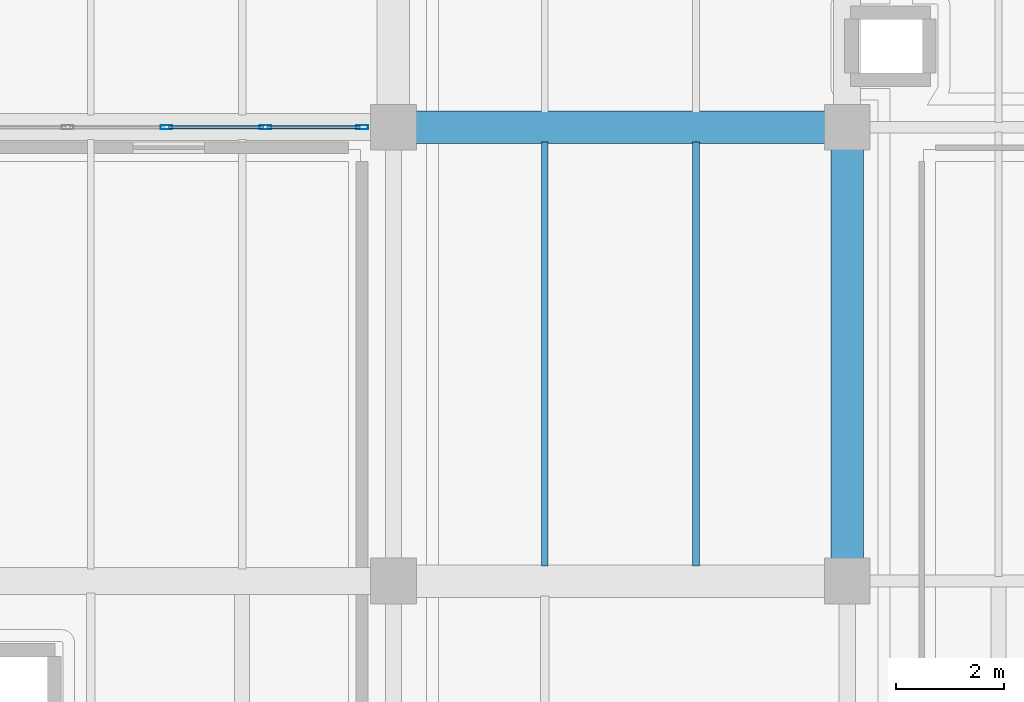
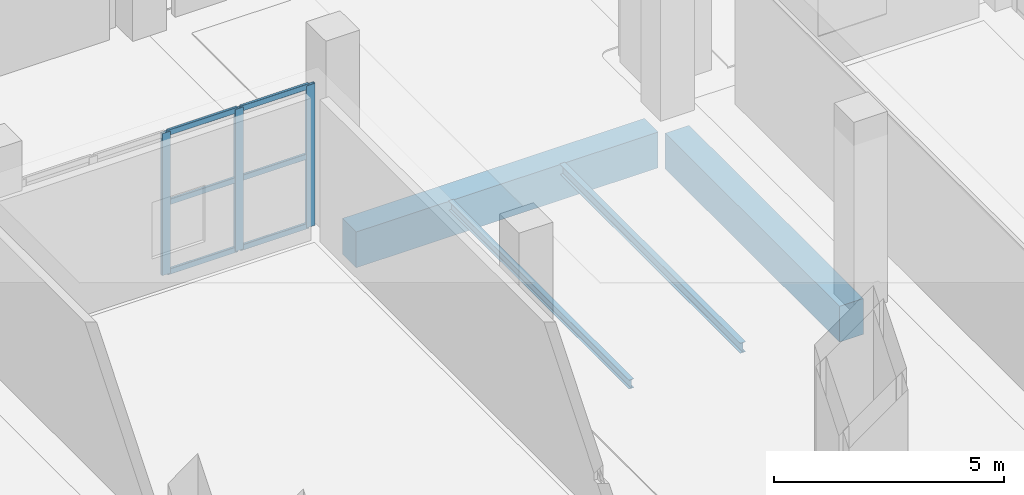
# One storey, part 26 of 66: 9 members, 4 beams, 1 element without a shape of its own.
"""IFC4 building model written with IfcOpenShell, lengths in metres."""

from ifc_helpers import new_model, si_unit, direction, frame, origin, origin_2d, place, context, subcontext, project, spatial, rectangle, hollow_rectangle, i_section, extrude, material, layer, layer_set, material_profile, profile_set, type_object, element, aggregate, save


model = new_model("IFC4")

# Units and contexts
model_context = context("Model", 3, precision=1e-05, world=origin(), true_north=direction((0.0, 1.0)))
body_context = subcontext(model_context, "Body", "Model", "MODEL_VIEW")
ifc_project = project(units=[si_unit("LENGTHUNIT", "METRE"), si_unit("AREAUNIT", "SQUARE_METRE"), si_unit("VOLUMEUNIT", "CUBIC_METRE"), si_unit("PLANEANGLEUNIT", "RADIAN"), si_unit("MASSUNIT", "GRAM", prefix="KILO")], contexts=[model_context])

# Site, building, storey
site_placement = place(None, origin())
site = spatial("IfcSite", under=ifc_project, at=site_placement, CompositionType="ELEMENT")
building_placement = place(site_placement, origin())
building = spatial("IfcBuilding", under=site, at=building_placement, Name="Zulmaris Art Gallery", CompositionType="ELEMENT")
storey_placement = place(building_placement, frame((0.0, 0.0, 5.39990234375)))
storey = spatial("IfcBuildingStorey", under=building, at=storey_placement, Name="L01", CompositionType="ELEMENT", Elevation=5.39990234375)

# Beams
ifc_material_1 = material(Name="Concrete C40/50", Category="concrete")
ifc_material_profile_1 = material_profile(ifc_material_1, rectangle(XDim=0.60009765625, YDim=0.949951171875, at=origin_2d()), Name="RC 600x950")
ifc_profile_set_1 = profile_set([ifc_material_profile_1], Name="Concrete C40/50")
beam_type_1 = type_object("IfcBeamType", Name="BEAM-BM22", PredefinedType="BEAM", material=ifc_profile_set_1)
beam_1_placement = place(storey_placement, frame((142.010009765625, 58.800048828125, -0.804931640625), z_axis=(1.0, 0.0, 0.0), x_axis=(0.0, 1.0, 0.0)))
element("IfcBeam", 1, at=beam_1_placement, inside=storey, type_object=beam_type_1, Name="L01 X-girder (141.6..150.0, y=58.8)", PredefinedType="BEAM", context=body_context, shape_type="SweptSolid", body=[
    extrude(rectangle(XDim=0.60009765625, YDim=0.949951171875, at=origin_2d()), origin(), (0.0, 0.0, 1.0), 7.580078125),
])
beam_2_placement = place(storey_placement, frame((150.0, 50.81005859375, -0.804931640625), z_axis=(0.0, 1.0, 0.0), x_axis=(-1.0, 0.0, 0.0)))
element("IfcBeam", 2, at=beam_2_placement, inside=storey, type_object=beam_type_1, Name="L01 Y-girder (x=150.0, 50.4..58.8)", PredefinedType="BEAM", context=body_context, shape_type="SweptSolid", body=[
    extrude(rectangle(XDim=0.60009765625, YDim=0.949951171875, at=origin_2d()), origin(), (0.0, 0.0, 1.0), 7.579833984375),
])
ifc_material_2 = material(Name="Steel S355J2", Category="steel")
ifc_material_profile_2 = material_profile(ifc_material_2, i_section(OverallWidth=0.1201171875, OverallDepth=0.239990234375, WebThickness=0.006103515625, FlangeThickness=0.009765625, FilletRadius=0.014892578125, at=origin_2d()), Name="IPE 240")
ifc_profile_set_2 = profile_set([ifc_material_profile_2], Name="Steel S355J2")
beam_type_2 = type_object("IfcBeamType", Name="BEAM-JS01", PredefinedType="JOIST", material=ifc_profile_set_2)
beam_3_placement = place(storey_placement, frame((144.39990234375, 50.675048828125, -0.449951171875), z_axis=(0.0, 1.0, 0.0), x_axis=(-1.0, 0.0, 0.0)))
element("IfcBeam", 3, at=beam_3_placement, inside=storey, type_object=beam_type_2, Name="L01 secondary joist at x=144.4", PredefinedType="JOIST", context=body_context, shape_type="SweptSolid", body=[
    extrude(i_section(OverallWidth=0.1201171875, OverallDepth=0.239990234375, WebThickness=0.006103515625, FlangeThickness=0.009765625, FilletRadius=0.014892578125, at=origin_2d()), origin(), (0.0, 0.0, 1.0), 7.849853515625),
])
ifc_material_profile_3 = material_profile(ifc_material_2, i_section(OverallWidth=0.135009765625, OverallDepth=0.27001953125, WebThickness=0.006591796875, FlangeThickness=0.01025390625, FilletRadius=0.014892578125, at=origin_2d()), Name="IPE 270")
ifc_profile_set_3 = profile_set([ifc_material_profile_3], Name="Steel S355J2")
beam_type_3 = type_object("IfcBeamType", Name="BEAM-JS02", PredefinedType="JOIST", material=ifc_profile_set_3)
beam_4_placement = place(storey_placement, frame((147.199951171875, 50.675048828125, -0.46484375), z_axis=(0.0, 1.0, 0.0), x_axis=(-1.0, 0.0, 0.0)))
element("IfcBeam", 4, at=beam_4_placement, inside=storey, type_object=beam_type_3, Name="L01 secondary joist at x=147.2", PredefinedType="JOIST", context=body_context, shape_type="SweptSolid", body=[
    extrude(i_section(OverallWidth=0.135009765625, OverallDepth=0.27001953125, WebThickness=0.006591796875, FlangeThickness=0.01025390625, FilletRadius=0.014892578125, at=origin_2d()), origin(), (0.0, 0.0, 1.0), 7.849853515625),
])

# Curtain wall, members
ifc_material_3 = material(Name="Unitised Low-E Gallery Curtain Wall", Category="aluminium")
ifc_layer = layer(ifc_material_3, 0.179931640625)
ifc_layer_set = layer_set([ifc_layer], Name="Unitised Low-E Gallery Curtain Wall")
curtain_wall_type = type_object("IfcCurtainWallType", Name="CW-CW01", PredefinedType="NOTDEFINED", material=ifc_layer_set)
curtain_wall_placement = place(storey_placement, origin())
curtain_wall = element("IfcCurtainWall", 5, at=curtain_wall_placement, inside=storey, type_object=curtain_wall_type, Name="L01 curtain wall 99", PredefinedType="NOTDEFINED")
ifc_material_4 = material(Name="Anodised Bronze Aluminium", Category="aluminium")
ifc_material_profile_4 = material_profile(ifc_material_4, hollow_rectangle(XDim=0.074951171875, YDim=0.219970703125, WallThickness=0.0048828125, InnerFilletRadius=0.007568359375, OuterFilletRadius=0.012451171875, at=origin_2d()), Name="ALU 75x220x5")
ifc_profile_set_4 = profile_set([ifc_material_profile_4], Name="Anodised Bronze Aluminium")
member_type_1 = type_object("IfcMemberType", Name="CWMUL-02", PredefinedType="MULLION", material=ifc_profile_set_4)
member_1_placement = place(storey_placement, frame((137.39990234375, 58.800048828125, 0.0), z_axis=(0.0, 0.0, 1.0), x_axis=(0.0, 1.0, 0.0)))
member_1 = element("IfcMember", 6, at=member_1_placement, type_object=member_type_1, Name="CW01 mullion 3", PredefinedType="MULLION", context=body_context, shape_type="SweptSolid", body=[
    extrude(hollow_rectangle(XDim=0.074951171875, YDim=0.219970703125, WallThickness=0.0048828125, InnerFilletRadius=0.007568359375, OuterFilletRadius=0.012451171875, at=origin_2d()), origin(), (0.0, 0.0, 1.0), 3.77001953125),
])
member_2_placement = place(storey_placement, frame((139.22998046875, 58.800048828125, 0.0), z_axis=(0.0, 0.0, 1.0), x_axis=(0.0, 1.0, 0.0)))
member_2 = element("IfcMember", 7, at=member_2_placement, type_object=member_type_1, Name="CW01 mullion 4", PredefinedType="MULLION", context=body_context, shape_type="SweptSolid", body=[
    extrude(hollow_rectangle(XDim=0.074951171875, YDim=0.219970703125, WallThickness=0.0048828125, InnerFilletRadius=0.007568359375, OuterFilletRadius=0.012451171875, at=origin_2d()), origin(), (0.0, 0.0, 1.0), 3.77001953125),
])
member_3_placement = place(storey_placement, frame((141.0224609375, 58.800048828125, 0.0), z_axis=(0.0, 0.0, 1.0), x_axis=(0.0, 1.0, 0.0)))
member_3 = element("IfcMember", 8, at=member_3_placement, type_object=member_type_1, Name="CW01 mullion 5", PredefinedType="MULLION", context=body_context, shape_type="SweptSolid", body=[
    extrude(hollow_rectangle(XDim=0.074951171875, YDim=0.219970703125, WallThickness=0.0048828125, InnerFilletRadius=0.007568359375, OuterFilletRadius=0.012451171875, at=origin_2d()), origin(), (0.0, 0.0, 1.0), 3.77001953125),
])
ifc_material_profile_5 = material_profile(ifc_material_4, hollow_rectangle(XDim=0.06494140625, YDim=0.14990234375, WallThickness=0.00390625, InnerFilletRadius=0.006103515625, OuterFilletRadius=0.010009765625, at=origin_2d()), Name="ALU 65x150x4")
ifc_profile_set_5 = profile_set([ifc_material_profile_5], Name="Anodised Bronze Aluminium")
member_type_2 = type_object("IfcMemberType", Name="CWTRN-01", PredefinedType="USERDEFINED", material=ifc_profile_set_5)
member_4_placement = place(storey_placement, frame((137.4375, 58.800048828125, 0.03759765625), z_axis=(1.0, 0.0, 0.0), x_axis=(0.0, 1.0, 0.0)))
member_4 = element("IfcMember", 9, at=member_4_placement, type_object=member_type_2, Name="CW01 transom 3.1", ObjectType="TRANSOM", PredefinedType="USERDEFINED", context=body_context, shape_type="SweptSolid", body=[
    extrude(hollow_rectangle(XDim=0.06494140625, YDim=0.14990234375, WallThickness=0.00390625, InnerFilletRadius=0.006103515625, OuterFilletRadius=0.010009765625, at=origin_2d()), origin(), (0.0, 0.0, 1.0), 1.7548828125),
])
member_5_placement = place(storey_placement, frame((137.4375, 58.800048828125, 1.885009765625), z_axis=(1.0, 0.0, 0.0), x_axis=(0.0, 1.0, 0.0)))
member_5 = element("IfcMember", 10, at=member_5_placement, type_object=member_type_2, Name="CW01 transom 3.2", ObjectType="TRANSOM", PredefinedType="USERDEFINED", context=body_context, shape_type="SweptSolid", body=[
    extrude(hollow_rectangle(XDim=0.06494140625, YDim=0.14990234375, WallThickness=0.00390625, InnerFilletRadius=0.006103515625, OuterFilletRadius=0.010009765625, at=origin_2d()), origin(), (0.0, 0.0, 1.0), 1.7548828125),
])
member_6_placement = place(storey_placement, frame((137.4375, 58.800048828125, 3.732666015625), z_axis=(1.0, 0.0, 0.0), x_axis=(0.0, 1.0, 0.0)))
member_6 = element("IfcMember", 11, at=member_6_placement, type_object=member_type_2, Name="CW01 transom 3.3", ObjectType="TRANSOM", PredefinedType="USERDEFINED", context=body_context, shape_type="SweptSolid", body=[
    extrude(hollow_rectangle(XDim=0.06494140625, YDim=0.14990234375, WallThickness=0.00390625, InnerFilletRadius=0.006103515625, OuterFilletRadius=0.010009765625, at=origin_2d()), origin(), (0.0, 0.0, 1.0), 1.7548828125),
])
member_7_placement = place(storey_placement, frame((139.267578125, 58.800048828125, 0.03759765625), z_axis=(1.0, 0.0, 0.0), x_axis=(0.0, 1.0, 0.0)))
member_7 = element("IfcMember", 12, at=member_7_placement, type_object=member_type_2, Name="CW01 transom 4.1", ObjectType="TRANSOM", PredefinedType="USERDEFINED", context=body_context, shape_type="SweptSolid", body=[
    extrude(hollow_rectangle(XDim=0.06494140625, YDim=0.14990234375, WallThickness=0.00390625, InnerFilletRadius=0.006103515625, OuterFilletRadius=0.010009765625, at=origin_2d()), origin(), (0.0, 0.0, 1.0), 1.717529296875),
])
member_8_placement = place(storey_placement, frame((139.267578125, 58.800048828125, 1.885009765625), z_axis=(1.0, 0.0, 0.0), x_axis=(0.0, 1.0, 0.0)))
member_8 = element("IfcMember", 13, at=member_8_placement, type_object=member_type_2, Name="CW01 transom 4.2", ObjectType="TRANSOM", PredefinedType="USERDEFINED", context=body_context, shape_type="SweptSolid", body=[
    extrude(hollow_rectangle(XDim=0.06494140625, YDim=0.14990234375, WallThickness=0.00390625, InnerFilletRadius=0.006103515625, OuterFilletRadius=0.010009765625, at=origin_2d()), origin(), (0.0, 0.0, 1.0), 1.717529296875),
])
member_9_placement = place(storey_placement, frame((139.267578125, 58.800048828125, 3.732666015625), z_axis=(1.0, 0.0, 0.0), x_axis=(0.0, 1.0, 0.0)))
member_9 = element("IfcMember", 14, at=member_9_placement, type_object=member_type_2, Name="CW01 transom 4.3", ObjectType="TRANSOM", PredefinedType="USERDEFINED", context=body_context, shape_type="SweptSolid", body=[
    extrude(hollow_rectangle(XDim=0.06494140625, YDim=0.14990234375, WallThickness=0.00390625, InnerFilletRadius=0.006103515625, OuterFilletRadius=0.010009765625, at=origin_2d()), origin(), (0.0, 0.0, 1.0), 1.717529296875),
])
aggregate(curtain_wall, [member_1, member_2, member_3, member_4, member_5, member_6, member_7, member_8, member_9])

save(model, "model.ifc")
